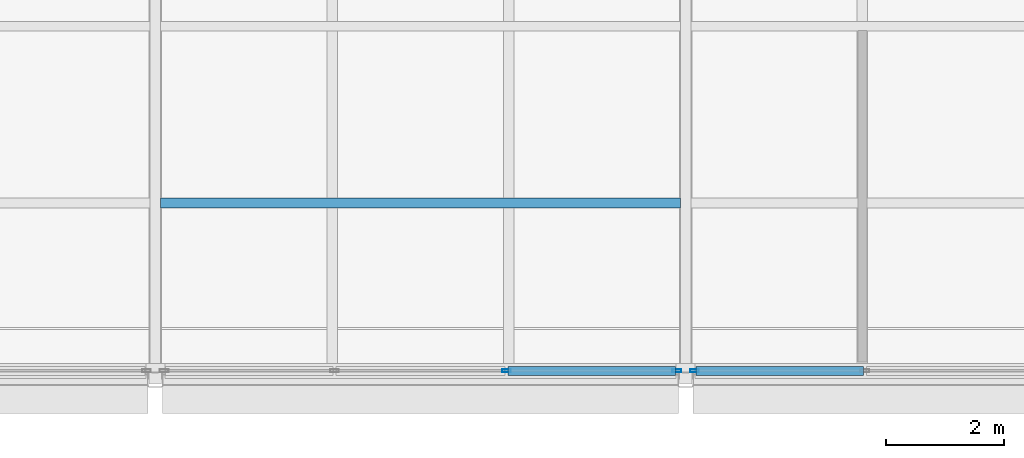
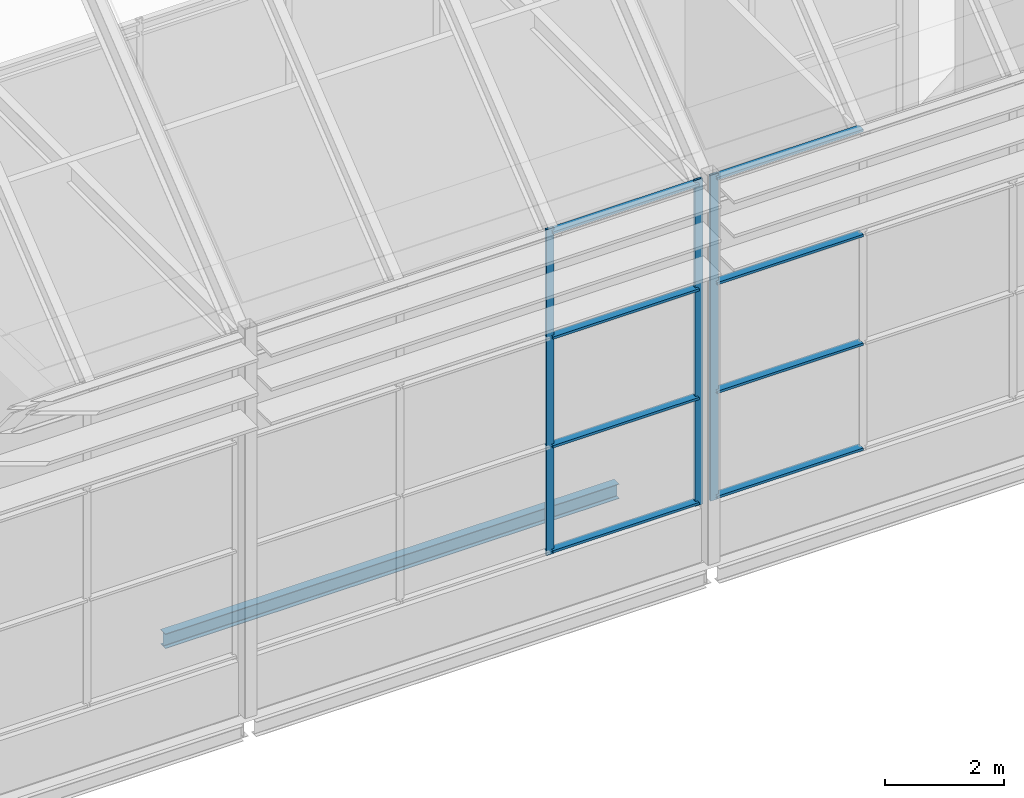
# One storey, part 53 of 144: 11 members, 1 beam, 2 elements without a shape of their own.
"""IFC4 building model written with IfcOpenShell, lengths in metres."""

from ifc_helpers import new_model, si_unit, direction, frame, origin, origin_2d, place, context, subcontext, project, spatial, hollow_rectangle, i_section, extrude, material, layer, layer_set, material_profile, profile_set, type_object, element, aggregate, save


model = new_model("IFC4")

# Units and contexts
model_context = context("Model", 3, precision=1e-05, world=origin(), true_north=direction((0.0, 1.0)))
body_context = subcontext(model_context, "Body", "Model", "MODEL_VIEW")
ifc_project = project(units=[si_unit("LENGTHUNIT", "METRE"), si_unit("AREAUNIT", "SQUARE_METRE"), si_unit("VOLUMEUNIT", "CUBIC_METRE"), si_unit("PLANEANGLEUNIT", "RADIAN"), si_unit("MASSUNIT", "GRAM", prefix="KILO")], contexts=[model_context])

# Site, building, storey
site_placement = place(None, origin())
site = spatial("IfcSite", under=ifc_project, at=site_placement, CompositionType="ELEMENT")
building_placement = place(site_placement, origin())
building = spatial("IfcBuilding", under=site, at=building_placement, Name="Shorebreak Coast Museum", CompositionType="ELEMENT")
storey_placement = place(building_placement, frame((0.0, 0.0, 36.0)))
storey = spatial("IfcBuildingStorey", under=building, at=storey_placement, Name="L06", CompositionType="ELEMENT", Elevation=36.0)

# Beam
ifc_material_1 = material(Name="Steel Grade 300", Category="steel")
ifc_material_profile_1 = material_profile(ifc_material_1, i_section(OverallWidth=0.1650390625, OverallDepth=0.303955078125, WebThickness=0.006103515625, FlangeThickness=0.01025390625, FilletRadius=0.011474609375, at=origin_2d()), Name="310UB40.4")
ifc_profile_set_1 = profile_set([ifc_material_profile_1], Name="Steel Grade 300")
beam_type = type_object("IfcBeamType", Name="Floor joist 310UB40.4", PredefinedType="JOIST", material=ifc_profile_set_1)
beam_placement = place(storey_placement, frame((90.089111328125, 57.0, -0.326904296875), z_axis=(1.0, 0.0, 0.0), x_axis=(0.0, 1.0, 0.0)))
element("IfcBeam", 1, at=beam_placement, inside=storey, type_object=beam_type, Name="Floor joist L06 bay 11G at 3000 mm", PredefinedType="JOIST", context=body_context, shape_type="SweptSolid", body=[
    extrude(i_section(OverallWidth=0.1650390625, OverallDepth=0.303955078125, WebThickness=0.006103515625, FlangeThickness=0.01025390625, FilletRadius=0.011474609375, at=origin_2d()), origin(), (0.0, 0.0, 1.0), 8.82177734375),
])

# Curtain wall, members
ifc_material_2 = material(Name="Aluminium", Category="aluminium")
ifc_layer = layer(ifc_material_2, 0.14990234375)
ifc_layer_set = layer_set([ifc_layer], Name="Aluminium")
curtain_wall_type = type_object("IfcCurtainWallType", Name="Storefront curtain wall", PredefinedType="NOTDEFINED", material=ifc_layer_set)
curtain_wall_1_placement = place(storey_placement, origin())
curtain_wall_1 = element("IfcCurtainWall", 2, at=curtain_wall_1_placement, inside=storey, type_object=curtain_wall_type, Name="Atrium Hall glazing L06 S 25", PredefinedType="NOTDEFINED")
ifc_material_3 = material(Name="Aluminium", Category="aluminium")
ifc_material_profile_2 = material_profile(ifc_material_3, hollow_rectangle(XDim=0.050048828125, YDim=0.14990234375, WallThickness=0.00390625, at=origin_2d()), Name="AL 150x50 RHS")
ifc_profile_set_2 = profile_set([ifc_material_profile_2], Name="Aluminium")
member_type_1 = type_object("IfcMemberType", Name="Storefront mullion 50 x 150", PredefinedType="MULLION", material=ifc_profile_set_2)
member_1_placement = place(storey_placement, frame((95.958251953125, 54.14990234375, 1.10009765625), z_axis=(0.0, 0.0, 1.0), x_axis=(0.0, 1.0, 0.0)))
member_1 = element("IfcMember", 3, at=member_1_placement, type_object=member_type_1, Name="CW5 mullion 3", PredefinedType="MULLION", context=body_context, shape_type="SweptSolid", body=[
    extrude(hollow_rectangle(XDim=0.050048828125, YDim=0.14990234375, WallThickness=0.00390625, at=origin_2d()), origin(), (0.0, 0.0, 1.0), 6.699951171875),
])
member_2_placement = place(storey_placement, frame((98.85009765625, 54.14990234375, 1.10009765625), z_axis=(0.0, 0.0, 1.0), x_axis=(0.0, 1.0, 0.0)))
member_2 = element("IfcMember", 4, at=member_2_placement, type_object=member_type_1, Name="CW5 mullion 4", PredefinedType="MULLION", context=body_context, shape_type="SweptSolid", body=[
    extrude(hollow_rectangle(XDim=0.050048828125, YDim=0.14990234375, WallThickness=0.00390625, at=origin_2d()), origin(), (0.0, 0.0, 1.0), 6.699951171875),
])

# Curtain wall, member
curtain_wall_2_placement = place(storey_placement, origin())
curtain_wall_2 = element("IfcCurtainWall", 5, at=curtain_wall_2_placement, inside=storey, type_object=curtain_wall_type, Name="Atrium Hall glazing L06 S 26", PredefinedType="NOTDEFINED")
member_3_placement = place(storey_placement, frame((99.14990234375, 54.14990234375, 1.10009765625), z_axis=(0.0, 0.0, 1.0), x_axis=(0.0, 1.0, 0.0)))
member_3 = element("IfcMember", 6, at=member_3_placement, type_object=member_type_1, Name="CW5 mullion 1", PredefinedType="MULLION", context=body_context, shape_type="SweptSolid", body=[
    extrude(hollow_rectangle(XDim=0.050048828125, YDim=0.14990234375, WallThickness=0.00390625, at=origin_2d()), origin(), (0.0, 0.0, 1.0), 6.699951171875),
])

# Member
ifc_material_4 = material(Name="Aluminium", Category="aluminium")
ifc_material_profile_3 = material_profile(ifc_material_4, hollow_rectangle(XDim=0.14990234375, YDim=0.050048828125, WallThickness=0.00390625, at=origin_2d()), Name="AL 50x150 RHS")
ifc_profile_set_3 = profile_set([ifc_material_profile_3], Name="Aluminium")
member_type_2 = type_object("IfcMemberType", Name="Storefront transom 150 x 50", PredefinedType="USERDEFINED", material=ifc_profile_set_3)
member_4_placement = place(storey_placement, frame((95.9833984375, 54.14990234375, 1.175048828125), z_axis=(1.0, 0.0, 0.0), x_axis=(0.0, 1.0, 0.0)))
member_4 = element("IfcMember", 7, at=member_4_placement, type_object=member_type_2, Name="CW5 transom 3.1", ObjectType="TRANSOM", PredefinedType="USERDEFINED", context=body_context, shape_type="SweptSolid", body=[
    extrude(hollow_rectangle(XDim=0.14990234375, YDim=0.050048828125, WallThickness=0.00390625, at=origin_2d()), origin(), (0.0, 0.0, 1.0), 2.841552734375),
])

member_5_placement = place(storey_placement, frame((95.9833984375, 54.14990234375, 3.333251953125), z_axis=(1.0, 0.0, 0.0), x_axis=(0.0, 1.0, 0.0)))
member_5 = element("IfcMember", 8, at=member_5_placement, type_object=member_type_2, Name="CW5 transom 3.2", ObjectType="TRANSOM", PredefinedType="USERDEFINED", context=body_context, shape_type="SweptSolid", body=[
    extrude(hollow_rectangle(XDim=0.14990234375, YDim=0.050048828125, WallThickness=0.00390625, at=origin_2d()), origin(), (0.0, 0.0, 1.0), 2.841552734375),
])

member_6_placement = place(storey_placement, frame((95.9833984375, 54.14990234375, 5.566650390625), z_axis=(1.0, 0.0, 0.0), x_axis=(0.0, 1.0, 0.0)))
member_6 = element("IfcMember", 9, at=member_6_placement, type_object=member_type_2, Name="CW5 transom 3.3", ObjectType="TRANSOM", PredefinedType="USERDEFINED", context=body_context, shape_type="SweptSolid", body=[
    extrude(hollow_rectangle(XDim=0.14990234375, YDim=0.050048828125, WallThickness=0.00390625, at=origin_2d()), origin(), (0.0, 0.0, 1.0), 2.841552734375),
])

member_7_placement = place(storey_placement, frame((95.9833984375, 54.14990234375, 7.72509765625), z_axis=(1.0, 0.0, 0.0), x_axis=(0.0, 1.0, 0.0)))
member_7 = element("IfcMember", 10, at=member_7_placement, type_object=member_type_2, Name="CW5 transom 3.4", ObjectType="TRANSOM", PredefinedType="USERDEFINED", context=body_context, shape_type="SweptSolid", body=[
    extrude(hollow_rectangle(XDim=0.14990234375, YDim=0.050048828125, WallThickness=0.00390625, at=origin_2d()), origin(), (0.0, 0.0, 1.0), 2.841552734375),
])

aggregate(curtain_wall_1, [member_1, member_2, member_4, member_5, member_6, member_7])

member_8_placement = place(storey_placement, frame((99.175048828125, 54.14990234375, 1.175048828125), z_axis=(1.0, 0.0, 0.0), x_axis=(0.0, 1.0, 0.0)))
member_8 = element("IfcMember", 11, at=member_8_placement, type_object=member_type_2, Name="CW5 transom 1.1", ObjectType="TRANSOM", PredefinedType="USERDEFINED", context=body_context, shape_type="SweptSolid", body=[
    extrude(hollow_rectangle(XDim=0.14990234375, YDim=0.050048828125, WallThickness=0.00390625, at=origin_2d()), origin(), (0.0, 0.0, 1.0), 2.841552734375),
])

member_9_placement = place(storey_placement, frame((99.175048828125, 54.14990234375, 3.333251953125), z_axis=(1.0, 0.0, 0.0), x_axis=(0.0, 1.0, 0.0)))
member_9 = element("IfcMember", 12, at=member_9_placement, type_object=member_type_2, Name="CW5 transom 1.2", ObjectType="TRANSOM", PredefinedType="USERDEFINED", context=body_context, shape_type="SweptSolid", body=[
    extrude(hollow_rectangle(XDim=0.14990234375, YDim=0.050048828125, WallThickness=0.00390625, at=origin_2d()), origin(), (0.0, 0.0, 1.0), 2.841552734375),
])

member_10_placement = place(storey_placement, frame((99.175048828125, 54.14990234375, 5.566650390625), z_axis=(1.0, 0.0, 0.0), x_axis=(0.0, 1.0, 0.0)))
member_10 = element("IfcMember", 13, at=member_10_placement, type_object=member_type_2, Name="CW5 transom 1.3", ObjectType="TRANSOM", PredefinedType="USERDEFINED", context=body_context, shape_type="SweptSolid", body=[
    extrude(hollow_rectangle(XDim=0.14990234375, YDim=0.050048828125, WallThickness=0.00390625, at=origin_2d()), origin(), (0.0, 0.0, 1.0), 2.841552734375),
])

member_11_placement = place(storey_placement, frame((99.175048828125, 54.14990234375, 7.72509765625), z_axis=(1.0, 0.0, 0.0), x_axis=(0.0, 1.0, 0.0)))
member_11 = element("IfcMember", 14, at=member_11_placement, type_object=member_type_2, Name="CW5 transom 1.4", ObjectType="TRANSOM", PredefinedType="USERDEFINED", context=body_context, shape_type="SweptSolid", body=[
    extrude(hollow_rectangle(XDim=0.14990234375, YDim=0.050048828125, WallThickness=0.00390625, at=origin_2d()), origin(), (0.0, 0.0, 1.0), 2.841552734375),
])

aggregate(curtain_wall_2, [member_3, member_8, member_9, member_10, member_11])

save(model, "model.ifc")
